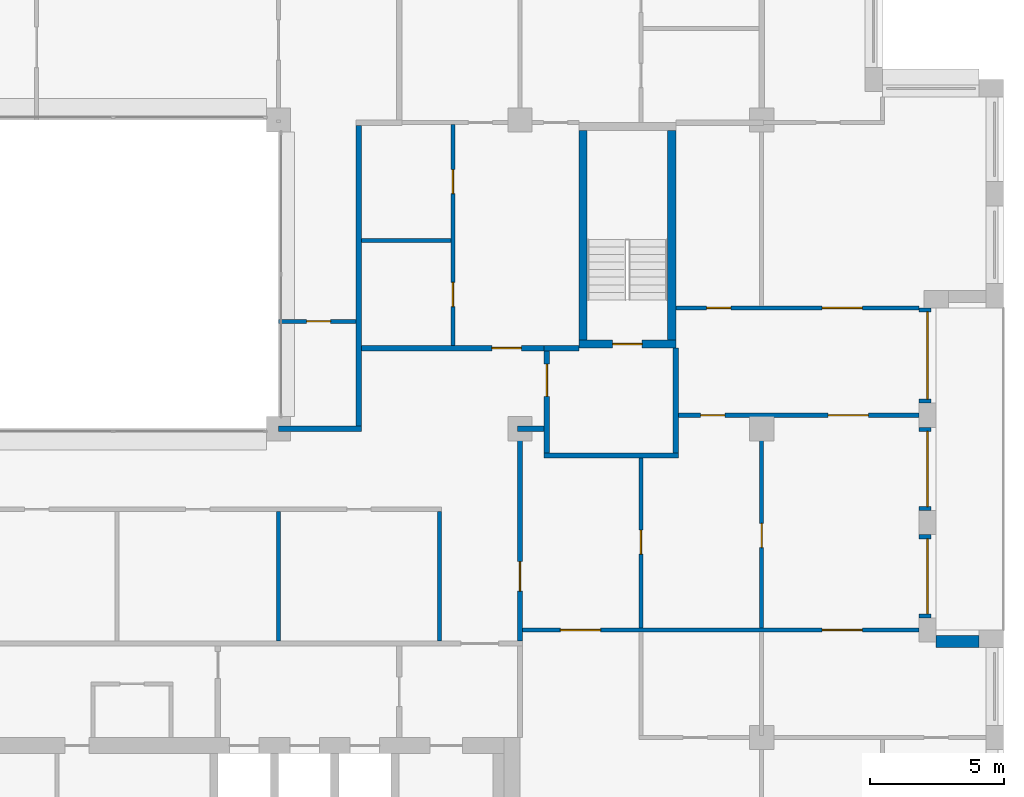
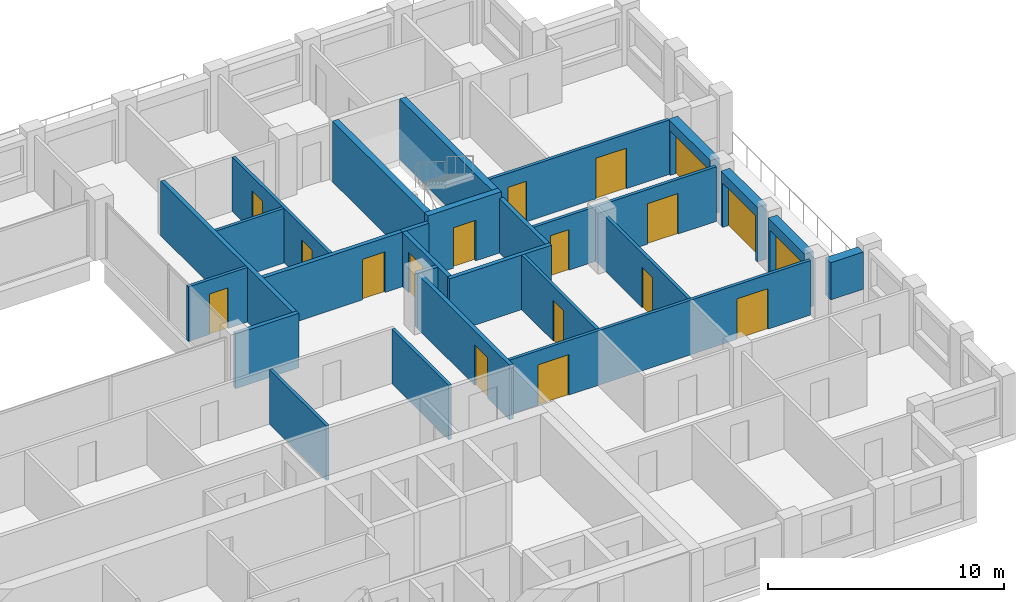
# One storey, part 12 of 16: 26 walls, 18 doors, 18 openings.
"""IFC4 building model written with IfcOpenShell, lengths in metres."""

from ifc_helpers import new_model, si_unit, direction, frame, frame_2d, origin, place, context, subcontext, project, spatial, rectangle, extrude, material, layer, layer_set, type_object, element, fill, save


model = new_model("IFC4")

# Units and contexts
model_context = context("Model", 3, precision=1e-05, world=origin(), true_north=direction((0.0, 1.0)))
body_context = subcontext(model_context, "Body", "Model", "MODEL_VIEW")
ifc_project = project(units=[si_unit("LENGTHUNIT", "METRE"), si_unit("AREAUNIT", "SQUARE_METRE"), si_unit("VOLUMEUNIT", "CUBIC_METRE"), si_unit("PLANEANGLEUNIT", "RADIAN"), si_unit("MASSUNIT", "GRAM", prefix="KILO")], contexts=[model_context])

# Site, building, storey
site_placement = place(None, origin())
site = spatial("IfcSite", under=ifc_project, at=site_placement, CompositionType="ELEMENT")
building_placement = place(site_placement, origin())
building = spatial("IfcBuilding", under=site, at=building_placement, Name="Brigalow Station Residences", CompositionType="ELEMENT")
storey_placement = place(building_placement, frame((0.0, 0.0, 204.300048828125)))
storey = spatial("IfcBuildingStorey", under=building, at=storey_placement, Name="L58", CompositionType="ELEMENT", Elevation=204.300048828125)

# Wall
ifc_material_1 = material(Name="Clay brick masonry", Category="masonry")
ifc_layer_1 = layer(ifc_material_1, 0.449951171875)
ifc_layer_set_1 = layer_set([ifc_layer_1], Name="BRICK INFILL WALL 450")
wall_type_1 = type_object("IfcWallType", Name="BRICK INFILL WALL 450", PredefinedType="SOLIDWALL", material=ifc_layer_set_1)
wall_1_placement = place(storey_placement, frame((71.10009765625, 16.074951171875, 0.89990234375), z_axis=(0.0, 0.0, 1.0), x_axis=(-1.0, 0.0, 0.0)))
element("IfcWall", 1, at=wall_1_placement, inside=storey, type_object=wall_type_1, Name="L58/ewall/W-L58-11", PredefinedType="SOLIDWALL", context=body_context, shape_type="SweptSolid", body=[
    extrude(rectangle(XDim=1.60009765625, YDim=0.449951171875, at=frame_2d((0.800048828125, 0.0))), origin(), (0.0, 0.0, 1.0), 1.929931640625),
])

# Wall, opening, door
wall_2_placement = place(storey_placement, frame((69.074951171875, 16.949951171875, 0.0), z_axis=(0.0, 0.0, 1.0), x_axis=(0.0, 1.0, 0.0)))
wall_2 = element("IfcWall", 2, at=wall_2_placement, inside=storey, type_object=wall_type_1, Name="L58/ewall/W-L58-12", PredefinedType="SOLIDWALL", context=body_context, shape_type="SweptSolid", body=[
    extrude(rectangle(XDim=3.10009765625, YDim=0.449951171875, at=frame_2d((1.550048828125, 0.0))), origin(), (0.0, 0.0, 1.0), 2.829833984375),
])
opening_1_placement = place(wall_2_placement, frame((0.14990234375, 0.0, 0.0)))
opening_1 = element("IfcOpeningElement", 3, at=opening_1_placement, cuts=wall_2, Name="Opening D-B2800", PredefinedType="OPENING", context=body_context, shape_type="SweptSolid", body=[
    extrude(rectangle(XDim=2.800048828125, YDim=2.300048828125, at=frame_2d((1.39990234375, 1.14990234375))), frame((0.0, 0.23486328125, 0.0), z_axis=(0.0, -1.0, 0.0), x_axis=(1.0, 0.0, 0.0)), (0.0, 0.0, 1.0), 0.469970703125),
])
ifc_material_2 = material(Name="Anodised aluminium frame with double glazing", Category="aluminium")
door_type_1 = type_object("IfcDoorType", Name="BALCONY SLIDING DOOR 2800x2300", OperationType="SLIDING_TO_LEFT", PredefinedType="DOOR", material=ifc_material_2)
door_1_placement = place(opening_1_placement, origin())
door_1 = element("IfcDoor", 4, at=door_1_placement, inside=storey, type_object=door_type_1, Name="L58/balcony-door/W-L58-12", OperationType="SLIDING_TO_LEFT", OverallHeight=2.300048828125, OverallWidth=2.800048828125, PredefinedType="DOOR", context=body_context, shape_type="SweptSolid", body=[
    extrude(rectangle(XDim=2.800048828125, YDim=2.300048828125, at=frame_2d((1.39990234375, 1.14990234375))), frame((0.0, -0.06982421875, 0.0), z_axis=(0.0, -1.0, 0.0), x_axis=(1.0, 0.0, 0.0)), (0.0, 0.0, 1.0), 0.050048828125),
])
fill(opening_1, door_1)

wall_3_placement = place(storey_placement, frame((69.074951171875, 20.949951171875, 0.0), z_axis=(0.0, 0.0, 1.0), x_axis=(0.0, 1.0, 0.0)))
wall_3 = element("IfcWall", 5, at=wall_3_placement, inside=storey, type_object=wall_type_1, Name="L58/ewall/W-L58-13", PredefinedType="SOLIDWALL", context=body_context, shape_type="SweptSolid", body=[
    extrude(rectangle(XDim=3.10009765625, YDim=0.449951171875, at=frame_2d((1.550048828125, 0.0))), origin(), (0.0, 0.0, 1.0), 2.829833984375),
])
opening_2_placement = place(wall_3_placement, frame((0.14990234375, 0.0, 0.0)))
opening_2 = element("IfcOpeningElement", 6, at=opening_2_placement, cuts=wall_3, Name="Opening D-B2800", PredefinedType="OPENING", context=body_context, shape_type="SweptSolid", body=[
    extrude(rectangle(XDim=2.800048828125, YDim=2.300048828125, at=frame_2d((1.39990234375, 1.14990234375))), frame((0.0, 0.23486328125, 0.0), z_axis=(0.0, -1.0, 0.0), x_axis=(1.0, 0.0, 0.0)), (0.0, 0.0, 1.0), 0.469970703125),
])
door_2_placement = place(opening_2_placement, origin())
door_2 = element("IfcDoor", 7, at=door_2_placement, inside=storey, type_object=door_type_1, Name="L58/balcony-door/W-L58-13", OperationType="SLIDING_TO_LEFT", OverallHeight=2.300048828125, OverallWidth=2.800048828125, PredefinedType="DOOR", context=body_context, shape_type="SweptSolid", body=[
    extrude(rectangle(XDim=2.800048828125, YDim=2.300048828125, at=frame_2d((1.39990234375, 1.14990234375))), frame((0.0, -0.06982421875, 0.0), z_axis=(0.0, -1.0, 0.0), x_axis=(1.0, 0.0, 0.0)), (0.0, 0.0, 1.0), 0.050048828125),
])
fill(opening_2, door_2)

wall_4_placement = place(storey_placement, frame((69.074951171875, 24.949951171875, 0.0), z_axis=(0.0, 0.0, 1.0), x_axis=(0.0, 1.0, 0.0)))
wall_4 = element("IfcWall", 8, at=wall_4_placement, inside=storey, type_object=wall_type_1, Name="L58/ewall/W-L58-14", PredefinedType="SOLIDWALL", context=body_context, shape_type="SweptSolid", body=[
    extrude(rectangle(XDim=3.550048828125, YDim=0.449951171875, at=frame_2d((1.77490234375, 0.0))), origin(), (0.0, 0.0, 1.0), 2.829833984375),
])
opening_3_placement = place(wall_4_placement, frame((0.14990234375, 0.0, 0.0)))
opening_3 = element("IfcOpeningElement", 9, at=opening_3_placement, cuts=wall_4, Name="Opening D-B3250", PredefinedType="OPENING", context=body_context, shape_type="SweptSolid", body=[
    extrude(rectangle(XDim=3.25, YDim=2.300048828125, at=frame_2d((1.625, 1.14990234375))), frame((0.0, 0.23486328125, 0.0), z_axis=(0.0, -1.0, 0.0), x_axis=(1.0, 0.0, 0.0)), (0.0, 0.0, 1.0), 0.469970703125),
])
ifc_material_3 = material(Name="Anodised aluminium frame with double glazing", Category="aluminium")
door_type_2 = type_object("IfcDoorType", Name="BALCONY SLIDING DOOR 3250x2300", OperationType="SLIDING_TO_LEFT", PredefinedType="DOOR", material=ifc_material_3)
door_3_placement = place(opening_3_placement, origin())
door_3 = element("IfcDoor", 10, at=door_3_placement, inside=storey, type_object=door_type_2, Name="L58/balcony-door/W-L58-14", OperationType="SLIDING_TO_LEFT", OverallHeight=2.300048828125, OverallWidth=3.25, PredefinedType="DOOR", context=body_context, shape_type="SweptSolid", body=[
    extrude(rectangle(XDim=3.25, YDim=2.300048828125, at=frame_2d((1.625, 1.14990234375))), frame((0.0, -0.06982421875, 0.0), z_axis=(0.0, -1.0, 0.0), x_axis=(1.0, 0.0, 0.0)), (0.0, 0.0, 1.0), 0.050048828125),
])
fill(opening_3, door_3)

ifc_material_4 = material(Name="Concrete C50", Category="concrete")
ifc_layer_2 = layer(ifc_material_4, 0.300048828125)
ifc_layer_set_2 = layer_set([ifc_layer_2], Name="CORE SHEAR WALL 300 C50")
wall_type_2 = type_object("IfcWallType", Name="CORE SHEAR WALL 300 C50", PredefinedType="SHEAR", material=ifc_layer_set_2)
wall_5_placement = place(storey_placement, frame((56.199951171875, 27.14990234375, 0.0), z_axis=(0.0, 0.0, 1.0), x_axis=(1.0, 0.0, 0.0)))
wall_5 = element("IfcWall", 11, at=wall_5_placement, inside=storey, type_object=wall_type_2, Name="CORE WALL ST-S3-S L58", PredefinedType="SHEAR", context=body_context, shape_type="SweptSolid", body=[
    extrude(rectangle(XDim=3.60009765625, YDim=0.300048828125, at=frame_2d((1.800048828125, 0.0))), origin(), (0.0, 0.0, 1.0), 3.14990234375),
])
opening_4_placement = place(wall_5_placement, frame((1.25, 0.0, 0.0)))
opening_4 = element("IfcOpeningElement", 12, at=opening_4_placement, cuts=wall_5, Name="Opening D-5018", PredefinedType="OPENING", context=body_context, shape_type="SweptSolid", body=[
    extrude(rectangle(XDim=1.10009765625, YDim=2.10009765625, at=frame_2d((0.550048828125, 1.050048828125))), frame((0.0, 0.16015625, 0.0), z_axis=(0.0, -1.0, 0.0), x_axis=(1.0, 0.0, 0.0)), (0.0, 0.0, 1.0), 0.320068359375),
])
ifc_material_5 = material(Name="Steel fire door leaf in steel frame", Category="steel")
door_type_3 = type_object("IfcDoorType", Name="STAIR DOOR 1100 x 2100 FD60S", OperationType="SINGLE_SWING_LEFT", PredefinedType="DOOR", material=ifc_material_5)
door_4_placement = place(opening_4_placement, origin())
door_4 = element("IfcDoor", 13, at=door_4_placement, inside=storey, type_object=door_type_3, Name="D-5018", OperationType="SINGLE_SWING_LEFT", OverallHeight=2.10009765625, OverallWidth=1.10009765625, PredefinedType="DOOR", context=body_context, shape_type="SweptSolid", body=[
    extrude(rectangle(XDim=1.10009765625, YDim=2.10009765625, at=frame_2d((0.550048828125, 1.050048828125))), frame((0.0, 0.02490234375, 0.0), z_axis=(0.0, -1.0, 0.0), x_axis=(1.0, 0.0, 0.0)), (0.0, 0.0, 1.0), 0.050048828125),
])
fill(opening_4, door_4)

# Walls
for number, where, z_axis, x_axis, name in (
    (14, (56.35009765625, 27.300048828125, 0.0), (0.0, 0.0, 1.0), (0.0, 1.0, 0.0), "CORE WALL ST-S3-W L58"),
    (15, (59.64990234375, 27.300048828125, 0.0), (0.0, 0.0, 1.0), (0.0, 1.0, 0.0), "CORE WALL ST-S3-E L58"),
):
    element("IfcWall", number, at=place(storey_placement, frame(where, z_axis=z_axis, x_axis=x_axis)), inside=storey, type_object=wall_type_2, Name=name, PredefinedType="SHEAR", context=body_context, shape_type="SweptSolid", body=[
        extrude(rectangle(XDim=7.800048828125, YDim=0.300048828125, at=frame_2d((3.89990234375, 0.0))), origin(), (0.0, 0.0, 1.0), 3.14990234375),
    ])
ifc_material_6 = material(Name="Concrete blockwork", Category="masonry")
ifc_layer_3 = layer(ifc_material_6, 0.199951171875)
ifc_layer_set_3 = layer_set([ifc_layer_3], Name="FIRE RATED CORE PARTITION 200")
wall_type_3 = type_object("IfcWallType", Name="FIRE RATED CORE PARTITION 200", PredefinedType="PARTITIONING", material=ifc_layer_set_3)
wall_6_placement = place(storey_placement, frame((54.89990234375, 23.0, 0.0), z_axis=(0.0, 0.0, 1.0), x_axis=(1.0, 0.0, 0.0)))
element("IfcWall", 16, at=wall_6_placement, inside=storey, type_object=wall_type_3, Name="PW-5024", PredefinedType="PARTITIONING", context=body_context, shape_type="SweptSolid", body=[
    extrude(rectangle(XDim=5.0, YDim=0.199951171875, at=frame_2d((2.5, 0.0))), origin(), (0.0, 0.0, 1.0), 2.829833984375),
])
wall_7_placement = place(storey_placement, frame((54.89990234375, 27.0, 0.0), z_axis=(0.0, 0.0, 1.0), x_axis=(1.0, 0.0, 0.0)))
element("IfcWall", 17, at=wall_7_placement, inside=storey, type_object=wall_type_3, Name="PW-5026", PredefinedType="PARTITIONING", context=body_context, shape_type="SweptSolid", body=[
    extrude(rectangle(XDim=1.300048828125, YDim=0.199951171875, at=frame_2d((0.64990234375, 0.0))), origin(), (0.0, 0.0, 1.0), 2.829833984375),
])

# Wall, opening, door
wall_8_placement = place(storey_placement, frame((55.0, 23.10009765625, 0.0), z_axis=(0.0, 0.0, 1.0), x_axis=(0.0, 1.0, 0.0)))
wall_8 = element("IfcWall", 18, at=wall_8_placement, inside=storey, type_object=wall_type_3, Name="PW-5036", PredefinedType="PARTITIONING", context=body_context, shape_type="SweptSolid", body=[
    extrude(rectangle(XDim=3.7998046875, YDim=0.199951171875, at=frame_2d((1.89990234375, 0.0))), origin(), (0.0, 0.0, 1.0), 2.829833984375),
])
opening_5_placement = place(wall_8_placement, frame((2.10009765625, 0.0, 0.0)))
opening_5 = element("IfcOpeningElement", 19, at=opening_5_placement, cuts=wall_8, Name="Opening D-5019", PredefinedType="OPENING", context=body_context, shape_type="SweptSolid", body=[
    extrude(rectangle(XDim=1.199951171875, YDim=2.10009765625, at=frame_2d((0.60009765625, 1.050048828125))), frame((0.0, 0.10986328125, 0.0), z_axis=(0.0, -1.0, 0.0), x_axis=(1.0, 0.0, 0.0)), (0.0, 0.0, 1.0), 0.219970703125),
])
ifc_material_7 = material(Name="Steel fire door leaf in steel frame", Category="steel")
door_type_4 = type_object("IfcDoorType", Name="STAIR LOBBY DOOR 1200 x 2100 FD60S", OperationType="SINGLE_SWING_LEFT", PredefinedType="DOOR", material=ifc_material_7)
door_5_placement = place(opening_5_placement, frame((1.199951171875, 0.0, 0.0), z_axis=(0.0, 0.0, 1.0), x_axis=(-1.0, 0.0, 0.0)))
door_5 = element("IfcDoor", 20, at=door_5_placement, inside=storey, type_object=door_type_4, Name="D-5019", OperationType="SINGLE_SWING_LEFT", OverallHeight=2.10009765625, OverallWidth=1.199951171875, PredefinedType="DOOR", context=body_context, shape_type="SweptSolid", body=[
    extrude(rectangle(XDim=1.199951171875, YDim=2.10009765625, at=frame_2d((0.60009765625, 1.050048828125))), frame((0.0, 0.02490234375, 0.0), z_axis=(0.0, -1.0, 0.0), x_axis=(1.0, 0.0, 0.0)), (0.0, 0.0, 1.0), 0.050048828125),
])
fill(opening_5, door_5)

# Wall
wall_9_placement = place(storey_placement, frame((59.800048828125, 23.10009765625, 0.0), z_axis=(0.0, 0.0, 1.0), x_axis=(0.0, 1.0, 0.0)))
element("IfcWall", 21, at=wall_9_placement, inside=storey, type_object=wall_type_3, Name="PW-5037", PredefinedType="PARTITIONING", context=body_context, shape_type="SweptSolid", body=[
    extrude(rectangle(XDim=3.89990234375, YDim=0.199951171875, at=frame_2d((1.949951171875, 0.0))), origin(), (0.0, 0.0, 1.0), 2.829833984375),
])

# Wall, openings, doors
ifc_material_8 = material(Name="Plasterboard on steel stud partition", Category="steel")
ifc_layer_4 = layer(ifc_material_8, 0.14990234375)
ifc_layer_set_4 = layer_set([ifc_layer_4], Name="FLAT PARTITION 150")
wall_type_4 = type_object("IfcWallType", Name="FLAT PARTITION 150", PredefinedType="PARTITIONING", material=ifc_layer_set_4)
wall_10_placement = place(storey_placement, frame((54.10009765625, 16.5, 0.0), z_axis=(0.0, 0.0, 1.0), x_axis=(1.0, 0.0, 0.0)))
wall_10 = element("IfcWall", 22, at=wall_10_placement, inside=storey, type_object=wall_type_4, Name="PW-4A11", PredefinedType="PARTITIONING", context=body_context, shape_type="SweptSolid", body=[
    extrude(rectangle(XDim=14.75, YDim=0.14990234375, at=frame_2d((7.375, 0.0))), origin(), (0.0, 0.0, 1.0), 2.829833984375),
])
opening_6_placement = place(wall_10_placement, frame((1.39990234375, 0.0, 0.0)))
opening_6 = element("IfcOpeningElement", 23, at=opening_6_placement, cuts=wall_10, Name="Opening D-4A32", PredefinedType="OPENING", context=body_context, shape_type="SweptSolid", body=[
    extrude(rectangle(XDim=1.5, YDim=2.10009765625, at=frame_2d((0.75, 1.050048828125))), frame((0.0, 0.0849609375, 0.0), z_axis=(0.0, -1.0, 0.0), x_axis=(1.0, 0.0, 0.0)), (0.0, 0.0, 1.0), 0.169921875),
])
opening_7_placement = place(wall_10_placement, frame((11.14990234375, 0.0, 0.0)))
opening_7 = element("IfcOpeningElement", 24, at=opening_7_placement, cuts=wall_10, Name="Opening D-4A40", PredefinedType="OPENING", context=body_context, shape_type="SweptSolid", body=[
    extrude(rectangle(XDim=1.5, YDim=2.10009765625, at=frame_2d((0.75, 1.050048828125))), frame((0.0, 0.0849609375, 0.0), z_axis=(0.0, -1.0, 0.0), x_axis=(1.0, 0.0, 0.0)), (0.0, 0.0, 1.0), 0.169921875),
])
ifc_material_9 = material(Name="Solid-core timber door leaf", Category="wood")
door_type_5 = type_object("IfcDoorType", Name="INTERNAL DOUBLE DOOR 1500 x 2100", OperationType="DOUBLE_DOOR_SINGLE_SWING", PredefinedType="DOOR", material=ifc_material_9)
door_6_placement = place(opening_6_placement, origin())
door_6 = element("IfcDoor", 25, at=door_6_placement, inside=storey, type_object=door_type_5, Name="D-4A32", OperationType="DOUBLE_DOOR_SINGLE_SWING", OverallHeight=2.10009765625, OverallWidth=1.5, PredefinedType="DOOR", context=body_context, shape_type="SweptSolid", body=[
    extrude(rectangle(XDim=1.5, YDim=2.10009765625, at=frame_2d((0.75, 1.050048828125))), frame((0.0, 0.02490234375, 0.0), z_axis=(0.0, -1.0, 0.0), x_axis=(1.0, 0.0, 0.0)), (0.0, 0.0, 1.0), 0.050048828125),
])
fill(opening_6, door_6)
door_7_placement = place(opening_7_placement, frame((1.5, 0.0, 0.0), z_axis=(0.0, 0.0, 1.0), x_axis=(-1.0, 0.0, 0.0)))
door_7 = element("IfcDoor", 26, at=door_7_placement, inside=storey, type_object=door_type_5, Name="D-4A40", OperationType="DOUBLE_DOOR_SINGLE_SWING", OverallHeight=2.10009765625, OverallWidth=1.5, PredefinedType="DOOR", context=body_context, shape_type="SweptSolid", body=[
    extrude(rectangle(XDim=1.5, YDim=2.10009765625, at=frame_2d((0.75, 1.050048828125))), frame((0.0, 0.02490234375, 0.0), z_axis=(0.0, -1.0, 0.0), x_axis=(1.0, 0.0, 0.0)), (0.0, 0.0, 1.0), 0.050048828125),
])
fill(opening_7, door_7)

# Wall, opening, door
wall_11_placement = place(storey_placement, frame((45.0, 28.0, 0.0), z_axis=(0.0, 0.0, 1.0), x_axis=(1.0, 0.0, 0.0)))
wall_11 = element("IfcWall", 27, at=wall_11_placement, inside=storey, type_object=wall_type_4, Name="PW-4A26", PredefinedType="PARTITIONING", context=body_context, shape_type="SweptSolid", body=[
    extrude(rectangle(XDim=2.89990234375, YDim=0.14990234375, at=frame_2d((1.449951171875, 0.0))), origin(), (0.0, 0.0, 1.0), 2.829833984375),
])
opening_8_placement = place(wall_11_placement, frame((1.050048828125, 0.0, 0.0)))
opening_8 = element("IfcOpeningElement", 28, at=opening_8_placement, cuts=wall_11, Name="Opening D-4A23", PredefinedType="OPENING", context=body_context, shape_type="SweptSolid", body=[
    extrude(rectangle(XDim=0.89990234375, YDim=2.10009765625, at=frame_2d((0.449951171875, 1.050048828125))), frame((0.0, 0.0849609375, 0.0), z_axis=(0.0, -1.0, 0.0), x_axis=(1.0, 0.0, 0.0)), (0.0, 0.0, 1.0), 0.169921875),
])
ifc_material_10 = material(Name="Solid-core timber door leaf", Category="wood")
door_type_6 = type_object("IfcDoorType", Name="INTERNAL DOOR 900 x 2100", OperationType="SINGLE_SWING_LEFT", PredefinedType="DOOR", material=ifc_material_10)
door_8_placement = place(opening_8_placement, frame((0.89990234375, 0.0, 0.0), z_axis=(0.0, 0.0, 1.0), x_axis=(-1.0, 0.0, 0.0)))
door_8 = element("IfcDoor", 29, at=door_8_placement, inside=storey, type_object=door_type_6, Name="D-4A23", OperationType="SINGLE_SWING_LEFT", OverallHeight=2.10009765625, OverallWidth=0.89990234375, PredefinedType="DOOR", context=body_context, shape_type="SweptSolid", body=[
    extrude(rectangle(XDim=0.89990234375, YDim=2.10009765625, at=frame_2d((0.449951171875, 1.050048828125))), frame((0.0, 0.02490234375, 0.0), z_axis=(0.0, -1.0, 0.0), x_axis=(1.0, 0.0, 0.0)), (0.0, 0.0, 1.0), 0.050048828125),
])
fill(opening_8, door_8)

# Wall
wall_12_placement = place(storey_placement, frame((48.10009765625, 31.0, 0.0), z_axis=(0.0, 0.0, 1.0), x_axis=(1.0, 0.0, 0.0)))
element("IfcWall", 30, at=wall_12_placement, inside=storey, type_object=wall_type_4, Name="PW-4A27", PredefinedType="PARTITIONING", context=body_context, shape_type="SweptSolid", body=[
    extrude(rectangle(XDim=3.324951171875, YDim=0.14990234375, at=frame_2d((1.66259765625, 0.0))), origin(), (0.0, 0.0, 1.0), 2.829833984375),
])

# Wall, openings, doors
wall_13_placement = place(storey_placement, frame((59.89990234375, 24.5, 0.0), z_axis=(0.0, 0.0, 1.0), x_axis=(1.0, 0.0, 0.0)))
wall_13 = element("IfcWall", 31, at=wall_13_placement, inside=storey, type_object=wall_type_4, Name="PW-4A30", PredefinedType="PARTITIONING", context=body_context, shape_type="SweptSolid", body=[
    extrude(rectangle(XDim=8.9501953125, YDim=0.14990234375, at=frame_2d((4.47509765625, 0.0))), origin(), (0.0, 0.0, 1.0), 2.829833984375),
])
opening_9_placement = place(wall_13_placement, frame((5.574951171875, 0.0, 0.0)))
opening_9 = element("IfcOpeningElement", 32, at=opening_9_placement, cuts=wall_13, Name="Opening D-4A42", PredefinedType="OPENING", context=body_context, shape_type="SweptSolid", body=[
    extrude(rectangle(XDim=1.5, YDim=2.10009765625, at=frame_2d((0.75, 1.050048828125))), frame((0.0, 0.0849609375, 0.0), z_axis=(0.0, -1.0, 0.0), x_axis=(1.0, 0.0, 0.0)), (0.0, 0.0, 1.0), 0.169921875),
])
opening_10_placement = place(wall_13_placement, frame((0.824951171875, 0.0, 0.0)))
opening_10 = element("IfcOpeningElement", 33, at=opening_10_placement, cuts=wall_13, Name="Opening D-4A43", PredefinedType="OPENING", context=body_context, shape_type="SweptSolid", body=[
    extrude(rectangle(XDim=0.89990234375, YDim=2.10009765625, at=frame_2d((0.449951171875, 1.050048828125))), frame((0.0, 0.0849609375, 0.0), z_axis=(0.0, -1.0, 0.0), x_axis=(1.0, 0.0, 0.0)), (0.0, 0.0, 1.0), 0.169921875),
])
door_9_placement = place(opening_10_placement, frame((0.89990234375, 0.0, 0.0), z_axis=(0.0, 0.0, 1.0), x_axis=(-1.0, 0.0, 0.0)))
door_9 = element("IfcDoor", 34, at=door_9_placement, inside=storey, type_object=door_type_6, Name="D-4A43", OperationType="SINGLE_SWING_RIGHT", OverallHeight=2.10009765625, OverallWidth=0.89990234375, PredefinedType="DOOR", context=body_context, shape_type="SweptSolid", body=[
    extrude(rectangle(XDim=0.89990234375, YDim=2.10009765625, at=frame_2d((0.449951171875, 1.050048828125))), frame((0.0, 0.02490234375, 0.0), z_axis=(0.0, -1.0, 0.0), x_axis=(1.0, 0.0, 0.0)), (0.0, 0.0, 1.0), 0.050048828125),
])
fill(opening_10, door_9)
door_10_placement = place(opening_9_placement, origin())
door_10 = element("IfcDoor", 35, at=door_10_placement, inside=storey, type_object=door_type_5, Name="D-4A42", OperationType="DOUBLE_DOOR_SINGLE_SWING", OverallHeight=2.10009765625, OverallWidth=1.5, PredefinedType="DOOR", context=body_context, shape_type="SweptSolid", body=[
    extrude(rectangle(XDim=1.5, YDim=2.10009765625, at=frame_2d((0.75, 1.050048828125))), frame((0.0, 0.02490234375, 0.0), z_axis=(0.0, -1.0, 0.0), x_axis=(1.0, 0.0, 0.0)), (0.0, 0.0, 1.0), 0.050048828125),
])
fill(opening_9, door_10)

wall_14_placement = place(storey_placement, frame((59.800048828125, 28.5, 0.0), z_axis=(0.0, 0.0, 1.0), x_axis=(1.0, 0.0, 0.0)))
wall_14 = element("IfcWall", 36, at=wall_14_placement, inside=storey, type_object=wall_type_4, Name="PW-4A31", PredefinedType="PARTITIONING", context=body_context, shape_type="SweptSolid", body=[
    extrude(rectangle(XDim=9.050048828125, YDim=0.14990234375, at=frame_2d((4.52490234375, 0.0))), origin(), (0.0, 0.0, 1.0), 2.829833984375),
])
opening_11_placement = place(wall_14_placement, frame((1.14990234375, 0.0, 0.0)))
opening_11 = element("IfcOpeningElement", 37, at=opening_11_placement, cuts=wall_14, Name="Opening D-4A44", PredefinedType="OPENING", context=body_context, shape_type="SweptSolid", body=[
    extrude(rectangle(XDim=0.89990234375, YDim=2.10009765625, at=frame_2d((0.449951171875, 1.050048828125))), frame((0.0, 0.0849609375, 0.0), z_axis=(0.0, -1.0, 0.0), x_axis=(1.0, 0.0, 0.0)), (0.0, 0.0, 1.0), 0.169921875),
])
opening_12_placement = place(wall_14_placement, frame((5.449951171875, 0.0, 0.0)))
opening_12 = element("IfcOpeningElement", 38, at=opening_12_placement, cuts=wall_14, Name="Opening D-4A45", PredefinedType="OPENING", context=body_context, shape_type="SweptSolid", body=[
    extrude(rectangle(XDim=1.5, YDim=2.10009765625, at=frame_2d((0.75, 1.050048828125))), frame((0.0, 0.0849609375, 0.0), z_axis=(0.0, -1.0, 0.0), x_axis=(1.0, 0.0, 0.0)), (0.0, 0.0, 1.0), 0.169921875),
])
door_11_placement = place(opening_11_placement, origin())
door_11 = element("IfcDoor", 39, at=door_11_placement, inside=storey, type_object=door_type_6, Name="D-4A44", OperationType="SINGLE_SWING_RIGHT", OverallHeight=2.10009765625, OverallWidth=0.89990234375, PredefinedType="DOOR", context=body_context, shape_type="SweptSolid", body=[
    extrude(rectangle(XDim=0.89990234375, YDim=2.10009765625, at=frame_2d((0.449951171875, 1.050048828125))), frame((0.0, 0.02490234375, 0.0), z_axis=(0.0, -1.0, 0.0), x_axis=(1.0, 0.0, 0.0)), (0.0, 0.0, 1.0), 0.050048828125),
])
fill(opening_11, door_11)
door_12_placement = place(opening_12_placement, frame((1.5, 0.0, 0.0), z_axis=(0.0, 0.0, 1.0), x_axis=(-1.0, 0.0, 0.0)))
door_12 = element("IfcDoor", 40, at=door_12_placement, inside=storey, type_object=door_type_5, Name="D-4A45", OperationType="DOUBLE_DOOR_SINGLE_SWING", OverallHeight=2.10009765625, OverallWidth=1.5, PredefinedType="DOOR", context=body_context, shape_type="SweptSolid", body=[
    extrude(rectangle(XDim=1.5, YDim=2.10009765625, at=frame_2d((0.75, 1.050048828125))), frame((0.0, 0.02490234375, 0.0), z_axis=(0.0, -1.0, 0.0), x_axis=(1.0, 0.0, 0.0)), (0.0, 0.0, 1.0), 0.050048828125),
])
fill(opening_12, door_12)

# Walls
for number, where, z_axis, x_axis, name in (
    (41, (51.0, 16.10009765625, 0.0), (0.0, 0.0, 1.0), (0.0, 1.0, 0.0), "PW-4A38"),
    (42, (45.0, 16.10009765625, 0.0), (0.0, 0.0, 1.0), (0.0, 1.0, 0.0), "PW-4A48"),
):
    element("IfcWall", number, at=place(storey_placement, frame(where, z_axis=z_axis, x_axis=x_axis)), inside=storey, type_object=wall_type_4, Name=name, PredefinedType="PARTITIONING", context=body_context, shape_type="SweptSolid", body=[
        extrude(rectangle(XDim=4.824951171875, YDim=0.14990234375, at=frame_2d((2.41259765625, 0.0))), origin(), (0.0, 0.0, 1.0), 2.829833984375),
    ])

# Wall, openings, doors
wall_15_placement = place(storey_placement, frame((51.5, 27.10009765625, 0.0), z_axis=(0.0, 0.0, 1.0), x_axis=(0.0, 1.0, 0.0)))
wall_15 = element("IfcWall", 43, at=wall_15_placement, inside=storey, type_object=wall_type_4, Name="PW-4A52", PredefinedType="PARTITIONING", context=body_context, shape_type="SweptSolid", body=[
    extrude(rectangle(XDim=8.224853515625, YDim=0.14990234375, at=frame_2d((4.1123046875, 0.0))), origin(), (0.0, 0.0, 1.0), 2.829833984375),
])
opening_13_placement = place(wall_15_placement, frame((1.449951171875, 0.0, 0.0)))
opening_13 = element("IfcOpeningElement", 44, at=opening_13_placement, cuts=wall_15, Name="Opening D-4A25", PredefinedType="OPENING", context=body_context, shape_type="SweptSolid", body=[
    extrude(rectangle(XDim=0.89990234375, YDim=2.10009765625, at=frame_2d((0.449951171875, 1.050048828125))), frame((0.0, 0.0849609375, 0.0), z_axis=(0.0, -1.0, 0.0), x_axis=(1.0, 0.0, 0.0)), (0.0, 0.0, 1.0), 0.169921875),
])
opening_14_placement = place(wall_15_placement, frame((5.64990234375, 0.0, 0.0)))
opening_14 = element("IfcOpeningElement", 45, at=opening_14_placement, cuts=wall_15, Name="Opening D-4A26", PredefinedType="OPENING", context=body_context, shape_type="SweptSolid", body=[
    extrude(rectangle(XDim=0.89990234375, YDim=2.10009765625, at=frame_2d((0.449951171875, 1.050048828125))), frame((0.0, 0.0849609375, 0.0), z_axis=(0.0, -1.0, 0.0), x_axis=(1.0, 0.0, 0.0)), (0.0, 0.0, 1.0), 0.169921875),
])
door_13_placement = place(opening_13_placement, origin())
door_13 = element("IfcDoor", 46, at=door_13_placement, inside=storey, type_object=door_type_6, Name="D-4A25", OperationType="SINGLE_SWING_LEFT", OverallHeight=2.10009765625, OverallWidth=0.89990234375, PredefinedType="DOOR", context=body_context, shape_type="SweptSolid", body=[
    extrude(rectangle(XDim=0.89990234375, YDim=2.10009765625, at=frame_2d((0.449951171875, 1.050048828125))), frame((0.0, 0.02490234375, 0.0), z_axis=(0.0, -1.0, 0.0), x_axis=(1.0, 0.0, 0.0)), (0.0, 0.0, 1.0), 0.050048828125),
])
fill(opening_13, door_13)
door_14_placement = place(opening_14_placement, origin())
door_14 = element("IfcDoor", 47, at=door_14_placement, inside=storey, type_object=door_type_6, Name="D-4A26", OperationType="SINGLE_SWING_LEFT", OverallHeight=2.10009765625, OverallWidth=0.89990234375, PredefinedType="DOOR", context=body_context, shape_type="SweptSolid", body=[
    extrude(rectangle(XDim=0.89990234375, YDim=2.10009765625, at=frame_2d((0.449951171875, 1.050048828125))), frame((0.0, 0.02490234375, 0.0), z_axis=(0.0, -1.0, 0.0), x_axis=(1.0, 0.0, 0.0)), (0.0, 0.0, 1.0), 0.050048828125),
])
fill(opening_14, door_14)

# Wall, opening, door
wall_16_placement = place(storey_placement, frame((58.5, 16.574951171875, 0.0), z_axis=(0.0, 0.0, 1.0), x_axis=(0.0, 1.0, 0.0)))
wall_16 = element("IfcWall", 48, at=wall_16_placement, inside=storey, type_object=wall_type_4, Name="PW-4A55", PredefinedType="PARTITIONING", context=body_context, shape_type="SweptSolid", body=[
    extrude(rectangle(XDim=6.324951171875, YDim=0.14990234375, at=frame_2d((3.16259765625, 0.0))), origin(), (0.0, 0.0, 1.0), 2.829833984375),
])
opening_15_placement = place(wall_16_placement, frame((2.75, 0.0, 0.0)))
opening_15 = element("IfcOpeningElement", 49, at=opening_15_placement, cuts=wall_16, Name="Opening D-4A33", PredefinedType="OPENING", context=body_context, shape_type="SweptSolid", body=[
    extrude(rectangle(XDim=0.89990234375, YDim=2.10009765625, at=frame_2d((0.449951171875, 1.050048828125))), frame((0.0, 0.0849609375, 0.0), z_axis=(0.0, -1.0, 0.0), x_axis=(1.0, 0.0, 0.0)), (0.0, 0.0, 1.0), 0.169921875),
])
door_15_placement = place(opening_15_placement, origin())
door_15 = element("IfcDoor", 50, at=door_15_placement, inside=storey, type_object=door_type_6, Name="D-4A33", OperationType="SINGLE_SWING_RIGHT", OverallHeight=2.10009765625, OverallWidth=0.89990234375, PredefinedType="DOOR", context=body_context, shape_type="SweptSolid", body=[
    extrude(rectangle(XDim=0.89990234375, YDim=2.10009765625, at=frame_2d((0.449951171875, 1.050048828125))), frame((0.0, 0.02490234375, 0.0), z_axis=(0.0, -1.0, 0.0), x_axis=(1.0, 0.0, 0.0)), (0.0, 0.0, 1.0), 0.050048828125),
])
fill(opening_15, door_15)

wall_17_placement = place(storey_placement, frame((63.0, 16.574951171875, 0.0), z_axis=(0.0, 0.0, 1.0), x_axis=(0.0, 1.0, 0.0)))
wall_17 = element("IfcWall", 51, at=wall_17_placement, inside=storey, type_object=wall_type_4, Name="PW-4A59", PredefinedType="PARTITIONING", context=body_context, shape_type="SweptSolid", body=[
    extrude(rectangle(XDim=7.85009765625, YDim=0.14990234375, at=frame_2d((3.925048828125, 0.0))), origin(), (0.0, 0.0, 1.0), 2.829833984375),
])
opening_16_placement = place(wall_17_placement, frame((3.0, 0.0, 0.0)))
opening_16 = element("IfcOpeningElement", 52, at=opening_16_placement, cuts=wall_17, Name="Opening D-4A41", PredefinedType="OPENING", context=body_context, shape_type="SweptSolid", body=[
    extrude(rectangle(XDim=0.89990234375, YDim=2.10009765625, at=frame_2d((0.449951171875, 1.050048828125))), frame((0.0, 0.0849609375, 0.0), z_axis=(0.0, -1.0, 0.0), x_axis=(1.0, 0.0, 0.0)), (0.0, 0.0, 1.0), 0.169921875),
])
door_16_placement = place(opening_16_placement, origin())
door_16 = element("IfcDoor", 53, at=door_16_placement, inside=storey, type_object=door_type_6, Name="D-4A41", OperationType="SINGLE_SWING_LEFT", OverallHeight=2.10009765625, OverallWidth=0.89990234375, PredefinedType="DOOR", context=body_context, shape_type="SweptSolid", body=[
    extrude(rectangle(XDim=0.89990234375, YDim=2.10009765625, at=frame_2d((0.449951171875, 1.050048828125))), frame((0.0, 0.02490234375, 0.0), z_axis=(0.0, -1.0, 0.0), x_axis=(1.0, 0.0, 0.0)), (0.0, 0.0, 1.0), 0.050048828125),
])
fill(opening_16, door_16)

# Walls
ifc_material_11 = material(Name="Plasterboard on steel stud partition", Category="steel")
ifc_layer_5 = layer(ifc_material_11, 0.199951171875)
ifc_layer_set_5 = layer_set([ifc_layer_5], Name="PARTY AND CORRIDOR WALL 200")
wall_type_5 = type_object("IfcWallType", Name="PARTY AND CORRIDOR WALL 200", PredefinedType="PARTITIONING", material=ifc_layer_set_5)
wall_18_placement = place(storey_placement, frame((45.0, 24.0, 0.0), z_axis=(0.0, 0.0, 1.0), x_axis=(1.0, 0.0, 0.0)))
element("IfcWall", 54, at=wall_18_placement, inside=storey, type_object=wall_type_5, Name="PW-4A03", PredefinedType="PARTITIONING", context=body_context, shape_type="SweptSolid", body=[
    extrude(rectangle(XDim=3.10009765625, YDim=0.199951171875, at=frame_2d((1.550048828125, 0.0))), origin(), (0.0, 0.0, 1.0), 2.829833984375),
])
wall_19_placement = place(storey_placement, frame((53.89990234375, 24.0, 0.0), z_axis=(0.0, 0.0, 1.0), x_axis=(1.0, 0.0, 0.0)))
element("IfcWall", 55, at=wall_19_placement, inside=storey, type_object=wall_type_5, Name="PW-4A04", PredefinedType="PARTITIONING", context=body_context, shape_type="SweptSolid", body=[
    extrude(rectangle(XDim=1.0, YDim=0.199951171875, at=frame_2d((0.5, 0.0))), origin(), (0.0, 0.0, 1.0), 2.829833984375),
])

# Wall, opening, door
wall_20_placement = place(storey_placement, frame((48.10009765625, 27.0, 0.0), z_axis=(0.0, 0.0, 1.0), x_axis=(1.0, 0.0, 0.0)))
wall_20 = element("IfcWall", 56, at=wall_20_placement, inside=storey, type_object=wall_type_5, Name="PW-4A08", PredefinedType="PARTITIONING", context=body_context, shape_type="SweptSolid", body=[
    extrude(rectangle(XDim=6.7998046875, YDim=0.199951171875, at=frame_2d((3.39990234375, 0.0))), origin(), (0.0, 0.0, 1.0), 2.829833984375),
])
opening_17_placement = place(wall_20_placement, frame((4.85009765625, 0.0, 0.0)))
opening_17 = element("IfcOpeningElement", 57, at=opening_17_placement, cuts=wall_20, Name="Opening D-4A24", PredefinedType="OPENING", context=body_context, shape_type="SweptSolid", body=[
    extrude(rectangle(XDim=1.10009765625, YDim=2.10009765625, at=frame_2d((0.550048828125, 1.050048828125))), frame((0.0, 0.10986328125, 0.0), z_axis=(0.0, -1.0, 0.0), x_axis=(1.0, 0.0, 0.0)), (0.0, 0.0, 1.0), 0.219970703125),
])
ifc_material_12 = material(Name="Solid-core timber door leaf", Category="wood")
door_type_7 = type_object("IfcDoorType", Name="FLAT ENTRANCE DOOR 1100 x 2100 FRL -/60/30", OperationType="SINGLE_SWING_LEFT", PredefinedType="DOOR", material=ifc_material_12)
door_17_placement = place(opening_17_placement, origin())
door_17 = element("IfcDoor", 58, at=door_17_placement, inside=storey, type_object=door_type_7, Name="D-4A24", OperationType="SINGLE_SWING_LEFT", OverallHeight=2.10009765625, OverallWidth=1.10009765625, PredefinedType="DOOR", context=body_context, shape_type="SweptSolid", body=[
    extrude(rectangle(XDim=1.10009765625, YDim=2.10009765625, at=frame_2d((0.550048828125, 1.050048828125))), frame((0.0, 0.02490234375, 0.0), z_axis=(0.0, -1.0, 0.0), x_axis=(1.0, 0.0, 0.0)), (0.0, 0.0, 1.0), 0.050048828125),
])
fill(opening_17, door_17)

wall_21_placement = place(storey_placement, frame((54.0, 16.10009765625, 0.0), z_axis=(0.0, 0.0, 1.0), x_axis=(0.0, 1.0, 0.0)))
wall_21 = element("IfcWall", 59, at=wall_21_placement, inside=storey, type_object=wall_type_5, Name="PW-4A36", PredefinedType="PARTITIONING", context=body_context, shape_type="SweptSolid", body=[
    extrude(rectangle(XDim=7.7998046875, YDim=0.199951171875, at=frame_2d((3.89990234375, 0.0))), origin(), (0.0, 0.0, 1.0), 2.829833984375),
])
opening_18_placement = place(wall_21_placement, frame((1.85009765625, 0.0, 0.0)))
opening_18 = element("IfcOpeningElement", 60, at=opening_18_placement, cuts=wall_21, Name="Opening D-4A31", PredefinedType="OPENING", context=body_context, shape_type="SweptSolid", body=[
    extrude(rectangle(XDim=1.10009765625, YDim=2.10009765625, at=frame_2d((0.550048828125, 1.050048828125))), frame((0.0, 0.10986328125, 0.0), z_axis=(0.0, -1.0, 0.0), x_axis=(1.0, 0.0, 0.0)), (0.0, 0.0, 1.0), 0.219970703125),
])
door_18_placement = place(opening_18_placement, frame((1.10009765625, 0.0, 0.0), z_axis=(0.0, 0.0, 1.0), x_axis=(-1.0, 0.0, 0.0)))
door_18 = element("IfcDoor", 61, at=door_18_placement, inside=storey, type_object=door_type_7, Name="D-4A31", OperationType="SINGLE_SWING_RIGHT", OverallHeight=2.10009765625, OverallWidth=1.10009765625, PredefinedType="DOOR", context=body_context, shape_type="SweptSolid", body=[
    extrude(rectangle(XDim=1.10009765625, YDim=2.10009765625, at=frame_2d((0.550048828125, 1.050048828125))), frame((0.0, 0.02490234375, 0.0), z_axis=(0.0, -1.0, 0.0), x_axis=(1.0, 0.0, 0.0)), (0.0, 0.0, 1.0), 0.050048828125),
])
fill(opening_18, door_18)

# Wall
wall_22_placement = place(storey_placement, frame((48.0, 24.10009765625, 0.0), z_axis=(0.0, 0.0, 1.0), x_axis=(0.0, 1.0, 0.0)))
element("IfcWall", 62, at=wall_22_placement, inside=storey, type_object=wall_type_5, Name="PW-4A41", PredefinedType="PARTITIONING", context=body_context, shape_type="SweptSolid", body=[
    extrude(rectangle(XDim=11.199951171875, YDim=0.199951171875, at=frame_2d((5.60009765625, 0.0))), origin(), (0.0, 0.0, 1.0), 2.829833984375),
])

save(model, "model.ifc")
